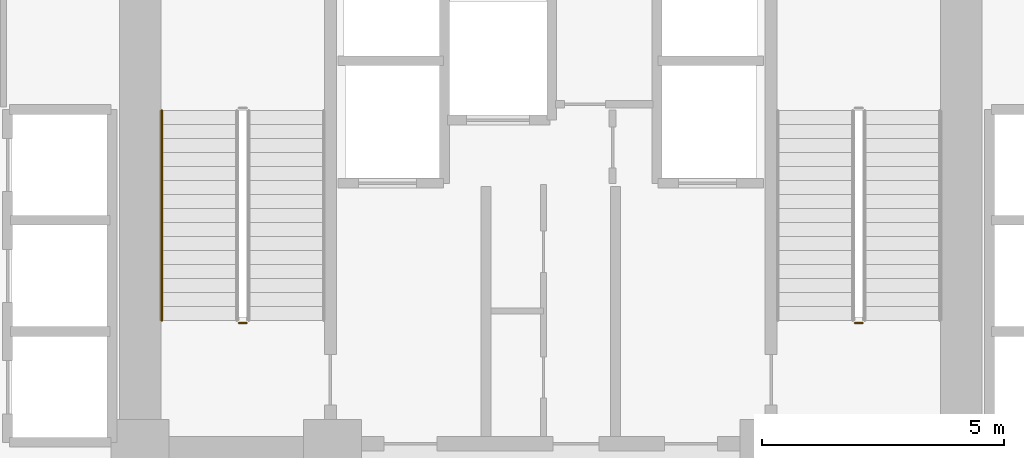
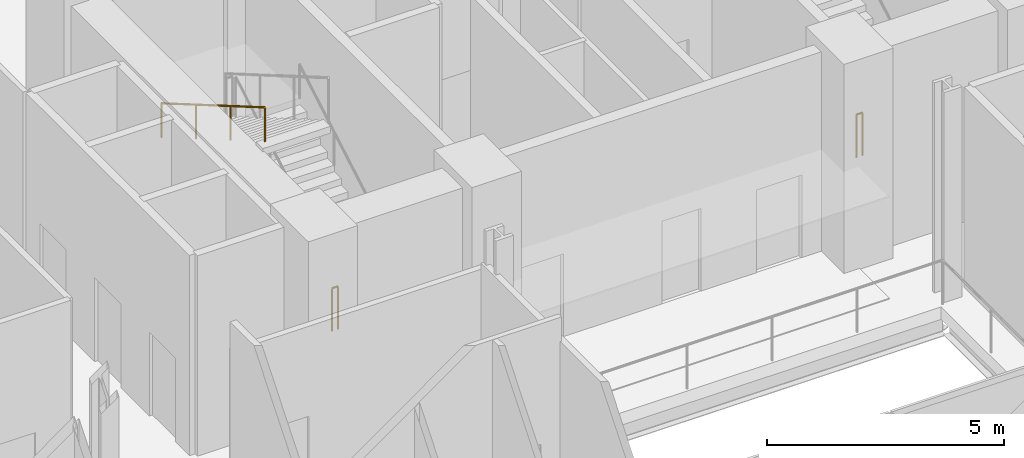
# One storey, part 28 of 31: 3 railings.
"""IFC4 building model written with IfcOpenShell, lengths in metres."""

from ifc_helpers import new_model, si_unit, direction, frame, origin, origin_2d, place, context, subcontext, project, spatial, circle, extrude, material, type_object, element, save


model = new_model("IFC4")

# Units and contexts
model_context = context("Model", 3, precision=1e-05, world=origin(), true_north=direction((0.0, 1.0)))
body_context = subcontext(model_context, "Body", "Model", "MODEL_VIEW")
ifc_project = project(units=[si_unit("LENGTHUNIT", "METRE"), si_unit("AREAUNIT", "SQUARE_METRE"), si_unit("VOLUMEUNIT", "CUBIC_METRE"), si_unit("PLANEANGLEUNIT", "RADIAN"), si_unit("MASSUNIT", "GRAM", prefix="KILO")], contexts=[model_context])

# Site, building, storey
site_placement = place(None, origin())
site = spatial("IfcSite", under=ifc_project, at=site_placement, CompositionType="ELEMENT")
building_placement = place(site_placement, origin())
building = spatial("IfcBuilding", under=site, at=building_placement, Name="Varnelok Gate Tower", CompositionType="ELEMENT")
storey_placement = place(building_placement, frame((0.0, 0.0, 21.60009765625)))
storey = spatial("IfcBuildingStorey", under=building, at=storey_placement, Name="L04", CompositionType="ELEMENT", Elevation=21.60009765625)

# Railings
ifc_material_1 = material(Name="Brushed Stainless Steel AISI 316", Category="steel")
railing_type_1 = type_object("IfcRailingType", Name="RL-HANDRAIL-900", PredefinedType="HANDRAIL", material=ifc_material_1)
railing_placement = place(storey_placement, frame((31.14990234375, 35.949951171875, 2.86865234375)))
element("IfcRailing", 1, at=railing_placement, inside=storey, type_object=railing_type_1, Name="L04 ST-1 stair handrail 2", PredefinedType="HANDRAIL", context=body_context, shape_type="SweptSolid", body=[
    extrude(circle(Radius=0.02392578125, at=origin_2d()), frame((0.0, 0.0, 0.8759765625), z_axis=(0.0, -0.864311530196, 0.502956835891), x_axis=(1.0, 0.0, 0.0)), (0.0, 0.0, 1.0), 5.03271484375),
    extrude(circle(Radius=0.02099609375, at=origin_2d()), origin(), (0.0, 0.0, 1.0), 0.851806640625),
    extrude(circle(Radius=0.02099609375, at=origin_2d()), frame((0.0, -1.449951171875, 0.84375)), (0.0, 0.0, 1.0), 0.851806640625),
    extrude(circle(Radius=0.02099609375, at=origin_2d()), frame((0.0, -2.89990234375, 1.6875)), (0.0, 0.0, 1.0), 0.851806640625),
    extrude(circle(Radius=0.02099609375, at=origin_2d()), frame((0.0, -4.349853515625, 2.53125)), (0.0, 0.0, 1.0), 0.851806640625),
])
ifc_material_2 = material(Name="Galvanized Steel Grade S350GD", Category="steel")
railing_type_2 = type_object("IfcRailingType", Name="RL-STAIR-GUARD1120", PredefinedType="GUARDRAIL", material=ifc_material_2)
for number, where, name in (
    (2, (32.89990234375, 31.550048828125, 0.0), "L04 ST-1 stair guard 4"),
    (3, (45.64990234375, 31.550048828125, 0.0), "L04 ST-2 stair guard 4"),
):
    element("IfcRailing", number, at=place(storey_placement, frame(where)), inside=storey, type_object=railing_type_2, Name=name, PredefinedType="GUARDRAIL", context=body_context, shape_type="SweptSolid", body=[
        extrude(circle(Radius=0.02392578125, at=origin_2d()), frame((0.0, 0.0, 1.09619140625), z_axis=(-1.0, 0.0, 0.0), x_axis=(0.0, -1.0, 0.0)), (0.0, 0.0, 1.0), 0.14990234375),
        extrude(circle(Radius=0.02099609375, at=origin_2d()), origin(), (0.0, 0.0, 1.0), 1.072021484375),
        extrude(circle(Radius=0.02099609375, at=origin_2d()), frame((-0.14990234375, 0.0, 0.0)), (0.0, 0.0, 1.0), 1.072021484375),
    ])

save(model, "model.ifc")
